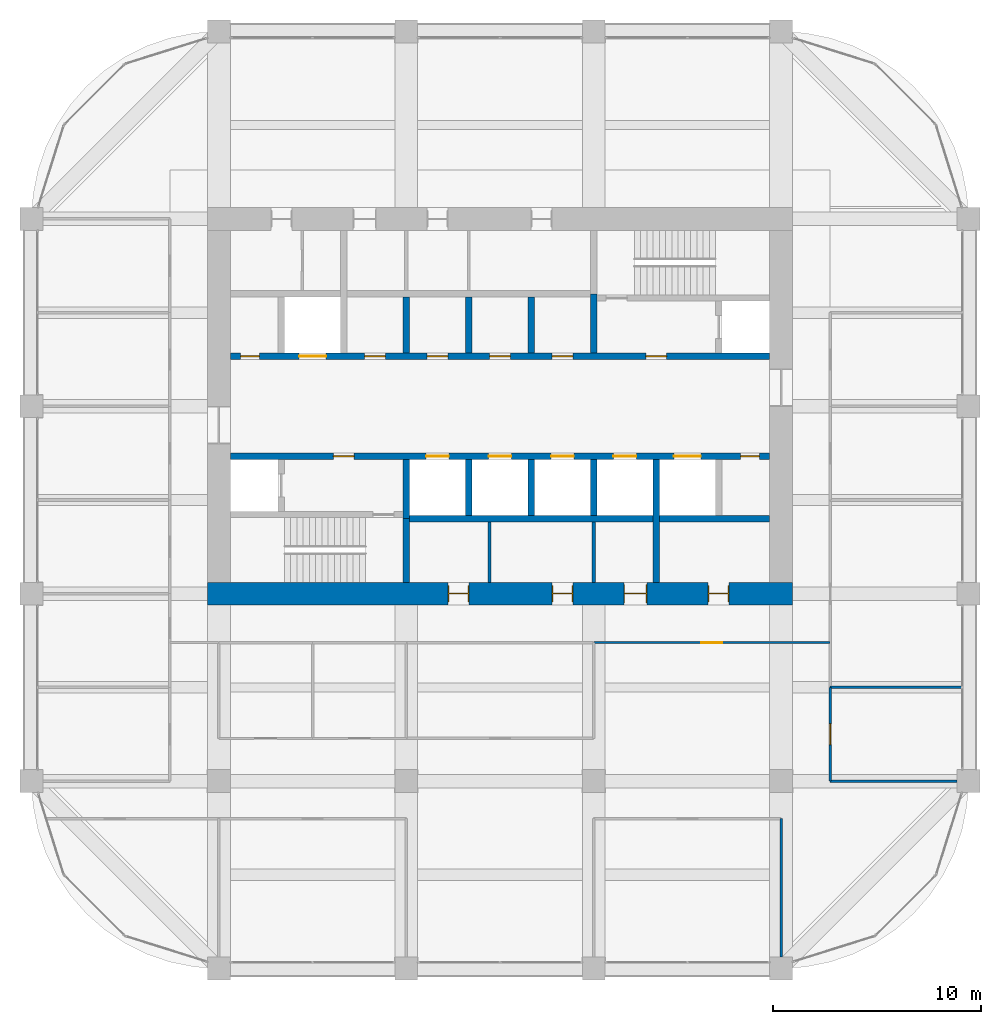
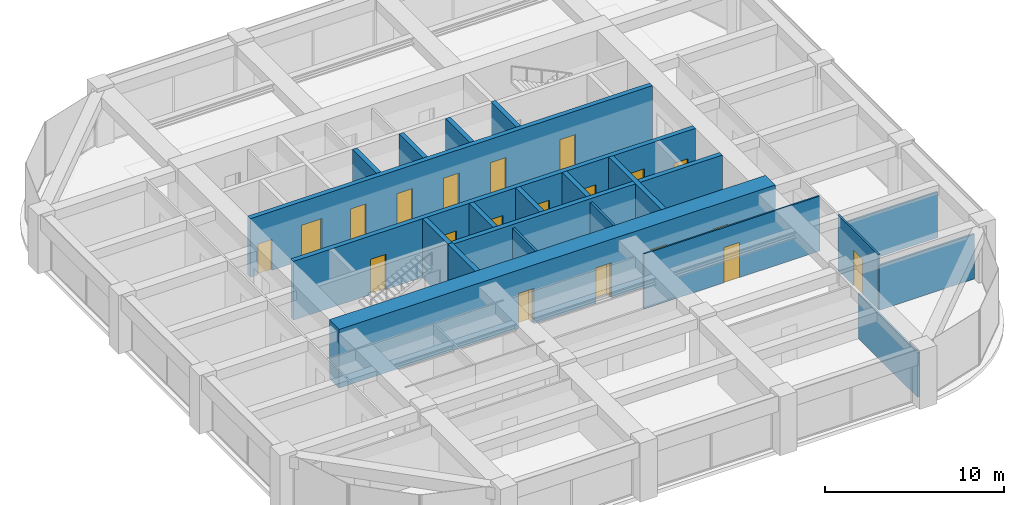
# One storey, part 42 of 44: 21 walls, 20 doors, 20 openings.
"""IFC4 building model written with IfcOpenShell, lengths in metres."""

from ifc_helpers import new_model, si_unit, direction, frame, frame_2d, origin, place, context, subcontext, project, spatial, rectangle, extrude, material, layer, layer_set, type_object, element, fill, save


model = new_model("IFC4")

# Units and contexts
model_context = context("Model", 3, precision=1e-05, world=origin(), true_north=direction((0.0, 1.0)))
body_context = subcontext(model_context, "Body", "Model", "MODEL_VIEW")
ifc_project = project(units=[si_unit("LENGTHUNIT", "METRE"), si_unit("AREAUNIT", "SQUARE_METRE"), si_unit("VOLUMEUNIT", "CUBIC_METRE"), si_unit("PLANEANGLEUNIT", "RADIAN"), si_unit("MASSUNIT", "GRAM", prefix="KILO")], contexts=[model_context])

# Site, building, storey
site_placement = place(None, origin())
site = spatial("IfcSite", under=ifc_project, at=site_placement, CompositionType="ELEMENT")
building_placement = place(site_placement, origin())
building = spatial("IfcBuilding", under=site, at=building_placement, Name="Zorevar Civic Tower", CompositionType="ELEMENT")
storey_placement = place(building_placement, frame((0.0, 0.0, 287.39990234375)))
storey = spatial("IfcBuildingStorey", under=building, at=storey_placement, Name="L70", CompositionType="ELEMENT", Elevation=287.39990234375)

# Wall, openings, doors
ifc_material_1 = material(Name="Concrete C50/60", Category="concrete")
ifc_layer_1 = layer(ifc_material_1, 1.10009765625)
ifc_layer_set_1 = layer_set([ifc_layer_1], Name="Core wall 1100")
wall_type_1 = type_object("IfcWallType", Name="Core wall 1100", PredefinedType="SHEAR", material=ifc_layer_set_1)
wall_1_placement = place(storey_placement, frame((17.449951171875, 18.0, 0.0), z_axis=(0.0, 0.0, 1.0), x_axis=(1.0, 0.0, 0.0)))
wall_1 = element("IfcWall", 1, at=wall_1_placement, inside=storey, type_object=wall_type_1, Name="Core wall S L70", PredefinedType="SHEAR", context=body_context, shape_type="SweptSolid", body=[
    extrude(rectangle(XDim=28.10009765625, YDim=1.10009765625, at=frame_2d((14.050048828125, 0.0))), origin(), (0.0, 0.0, 1.0), 4.0),
])
opening_1_placement = place(wall_1_placement, frame((11.550048828125, 0.0, 0.0)))
opening_1 = element("IfcOpeningElement", 2, at=opening_1_placement, cuts=wall_1, Name="Opening L70.03", PredefinedType="OPENING", context=body_context, shape_type="SweptSolid", body=[
    extrude(rectangle(XDim=1.0, YDim=2.39990234375, at=frame_2d((0.5, 1.199951171875))), frame((0.0, 0.56005859375, 0.0), z_axis=(0.0, -1.0, 0.0), x_axis=(1.0, 0.0, 0.0)), (0.0, 0.0, 1.0), 1.1201171875),
])
opening_2_placement = place(wall_1_placement, frame((16.550048828125, 0.0, 0.0)))
opening_2 = element("IfcOpeningElement", 3, at=opening_2_placement, cuts=wall_1, Name="Opening L70.04", PredefinedType="OPENING", context=body_context, shape_type="SweptSolid", body=[
    extrude(rectangle(XDim=1.0, YDim=2.39990234375, at=frame_2d((0.5, 1.199951171875))), frame((0.0, 0.56005859375, 0.0), z_axis=(0.0, -1.0, 0.0), x_axis=(1.0, 0.0, 0.0)), (0.0, 0.0, 1.0), 1.1201171875),
])
opening_3_placement = place(wall_1_placement, frame((20.0, 0.0, 0.0)))
opening_3 = element("IfcOpeningElement", 4, at=opening_3_placement, cuts=wall_1, Name="Opening L70.05", PredefinedType="OPENING", context=body_context, shape_type="SweptSolid", body=[
    extrude(rectangle(XDim=1.10009765625, YDim=2.39990234375, at=frame_2d((0.550048828125, 1.199951171875))), frame((0.0, 0.56005859375, 0.0), z_axis=(0.0, -1.0, 0.0), x_axis=(1.0, 0.0, 0.0)), (0.0, 0.0, 1.0), 1.1201171875),
])
opening_4_placement = place(wall_1_placement, frame((24.050048828125, 0.0, 0.0)))
opening_4 = element("IfcOpeningElement", 5, at=opening_4_placement, cuts=wall_1, Name="Opening L70.06", PredefinedType="OPENING", context=body_context, shape_type="SweptSolid", body=[
    extrude(rectangle(XDim=1.0, YDim=2.39990234375, at=frame_2d((0.5, 1.199951171875))), frame((0.0, 0.56005859375, 0.0), z_axis=(0.0, -1.0, 0.0), x_axis=(1.0, 0.0, 0.0)), (0.0, 0.0, 1.0), 1.1201171875),
])
ifc_material_2 = material(Name="Timber door set", Category="wood")
door_type_1 = type_object("IfcDoorType", Name="Door D1 1000x2400", OperationType="SINGLE_SWING_LEFT", PredefinedType="DOOR", material=ifc_material_2)
door_1_placement = place(opening_1_placement, origin())
door_1 = element("IfcDoor", 6, at=door_1_placement, inside=storey, type_object=door_type_1, Name="Door L70 02", OperationType="SINGLE_SWING_LEFT", OverallHeight=2.39990234375, OverallWidth=1.0, PredefinedType="DOOR", context=body_context, shape_type="SweptSolid", body=[
    extrude(rectangle(XDim=1.0, YDim=2.39990234375, at=frame_2d((0.5, 1.199951171875))), frame((0.0, 0.02490234375, 0.0), z_axis=(0.0, -1.0, 0.0), x_axis=(1.0, 0.0, 0.0)), (0.0, 0.0, 1.0), 0.050048828125),
    extrude(rectangle(XDim=0.04, YDim=2.39990234375, at=frame_2d((0.02001953125, 1.199951171875))), frame((0.0, 0.39990234375, 0.0), z_axis=(0.0, -1.0, 0.0), x_axis=(1.0, 0.0, 0.0)), (0.0, 0.0, 1.0), 0.800048828125),
    extrude(rectangle(XDim=0.04, YDim=2.39990234375, at=frame_2d((0.97998046875, 1.199951171875))), frame((0.0, 0.39990234375, 0.0), z_axis=(0.0, -1.0, 0.0), x_axis=(1.0, 0.0, 0.0)), (0.0, 0.0, 1.0), 0.800048828125),
    extrude(rectangle(XDim=1.0, YDim=0.04, at=frame_2d((0.5, 2.3798828125))), frame((0.0, 0.39990234375, 0.0), z_axis=(0.0, -1.0, 0.0), x_axis=(1.0, 0.0, 0.0)), (0.0, 0.0, 1.0), 0.800048828125),
])
fill(opening_1, door_1)
door_2_placement = place(opening_2_placement, origin())
door_2 = element("IfcDoor", 7, at=door_2_placement, inside=storey, type_object=door_type_1, Name="Door L70 03", OperationType="SINGLE_SWING_RIGHT", OverallHeight=2.39990234375, OverallWidth=1.0, PredefinedType="DOOR", context=body_context, shape_type="SweptSolid", body=[
    extrude(rectangle(XDim=1.0, YDim=2.39990234375, at=frame_2d((0.5, 1.199951171875))), frame((0.0, 0.02490234375, 0.0), z_axis=(0.0, -1.0, 0.0), x_axis=(1.0, 0.0, 0.0)), (0.0, 0.0, 1.0), 0.050048828125),
    extrude(rectangle(XDim=0.04, YDim=2.39990234375, at=frame_2d((0.02001953125, 1.199951171875))), frame((0.0, 0.39990234375, 0.0), z_axis=(0.0, -1.0, 0.0), x_axis=(1.0, 0.0, 0.0)), (0.0, 0.0, 1.0), 0.800048828125),
    extrude(rectangle(XDim=0.04, YDim=2.39990234375, at=frame_2d((0.97998046875, 1.199951171875))), frame((0.0, 0.39990234375, 0.0), z_axis=(0.0, -1.0, 0.0), x_axis=(1.0, 0.0, 0.0)), (0.0, 0.0, 1.0), 0.800048828125),
    extrude(rectangle(XDim=1.0, YDim=0.04, at=frame_2d((0.5, 2.3798828125))), frame((0.0, 0.39990234375, 0.0), z_axis=(0.0, -1.0, 0.0), x_axis=(1.0, 0.0, 0.0)), (0.0, 0.0, 1.0), 0.800048828125),
])
fill(opening_2, door_2)
door_3_placement = place(opening_4_placement, origin())
door_3 = element("IfcDoor", 8, at=door_3_placement, inside=storey, type_object=door_type_1, Name="Door L70 05", OperationType="SINGLE_SWING_RIGHT", OverallHeight=2.39990234375, OverallWidth=1.0, PredefinedType="DOOR", context=body_context, shape_type="SweptSolid", body=[
    extrude(rectangle(XDim=1.0, YDim=2.39990234375, at=frame_2d((0.5, 1.199951171875))), frame((0.0, 0.02490234375, 0.0), z_axis=(0.0, -1.0, 0.0), x_axis=(1.0, 0.0, 0.0)), (0.0, 0.0, 1.0), 0.050048828125),
    extrude(rectangle(XDim=0.04, YDim=2.39990234375, at=frame_2d((0.02001953125, 1.199951171875))), frame((0.0, 0.39990234375, 0.0), z_axis=(0.0, -1.0, 0.0), x_axis=(1.0, 0.0, 0.0)), (0.0, 0.0, 1.0), 0.800048828125),
    extrude(rectangle(XDim=0.04, YDim=2.39990234375, at=frame_2d((0.97998046875, 1.199951171875))), frame((0.0, 0.39990234375, 0.0), z_axis=(0.0, -1.0, 0.0), x_axis=(1.0, 0.0, 0.0)), (0.0, 0.0, 1.0), 0.800048828125),
    extrude(rectangle(XDim=1.0, YDim=0.04, at=frame_2d((0.5, 2.3798828125))), frame((0.0, 0.39990234375, 0.0), z_axis=(0.0, -1.0, 0.0), x_axis=(1.0, 0.0, 0.0)), (0.0, 0.0, 1.0), 0.800048828125),
])
fill(opening_4, door_3)
ifc_material_3 = material(Name="Timber door set", Category="wood")
door_type_2 = type_object("IfcDoorType", Name="Door D5 1100x2400", OperationType="SINGLE_SWING_LEFT", PredefinedType="DOOR", material=ifc_material_3)
door_4_placement = place(opening_3_placement, origin())
door_4 = element("IfcDoor", 9, at=door_4_placement, inside=storey, type_object=door_type_2, Name="Door L70 04", OperationType="SINGLE_SWING_RIGHT", OverallHeight=2.39990234375, OverallWidth=1.10009765625, PredefinedType="DOOR", context=body_context, shape_type="SweptSolid", body=[
    extrude(rectangle(XDim=1.10009765625, YDim=2.39990234375, at=frame_2d((0.550048828125, 1.199951171875))), frame((0.0, 0.02490234375, 0.0), z_axis=(0.0, -1.0, 0.0), x_axis=(1.0, 0.0, 0.0)), (0.0, 0.0, 1.0), 0.050048828125),
    extrude(rectangle(XDim=0.04, YDim=2.39990234375, at=frame_2d((0.02001953125, 1.199951171875))), frame((0.0, 0.43994140625, 0.0), z_axis=(0.0, -1.0, 0.0), x_axis=(1.0, 0.0, 0.0)), (0.0, 0.0, 1.0), 0.880126953125),
    extrude(rectangle(XDim=0.04, YDim=2.39990234375, at=frame_2d((1.080078125, 1.199951171875))), frame((0.0, 0.43994140625, 0.0), z_axis=(0.0, -1.0, 0.0), x_axis=(1.0, 0.0, 0.0)), (0.0, 0.0, 1.0), 0.880126953125),
    extrude(rectangle(XDim=1.10009765625, YDim=0.04, at=frame_2d((0.550048828125, 2.3798828125))), frame((0.0, 0.43994140625, 0.0), z_axis=(0.0, -1.0, 0.0), x_axis=(1.0, 0.0, 0.0)), (0.0, 0.0, 1.0), 0.880126953125),
])
fill(opening_3, door_4)

# Wall, opening, door
ifc_material_4 = material(Name="Laminated glass in black aluminium frame", Category="aluminium")
ifc_layer_2 = layer(ifc_material_4, 0.10009765625)
ifc_layer_set_2 = layer_set([ifc_layer_2], Name="Glazed partition 100")
wall_type_2 = type_object("IfcWallType", Name="Glazed partition 100", PredefinedType="PARTITIONING", material=ifc_layer_set_2)
wall_2_placement = place(storey_placement, frame((36.010009765625, 15.64990234375, 0.0), z_axis=(0.0, 0.0, 1.0), x_axis=(1.0, 0.0, 0.0)))
wall_2 = element("IfcWall", 10, at=wall_2_placement, inside=storey, type_object=wall_type_2, Name="Glazed partition 100 L70", PredefinedType="PARTITIONING", context=body_context, shape_type="SweptSolid", body=[
    extrude(rectangle(XDim=11.330078125, YDim=0.10009765625, at=frame_2d((5.6650390625, 0.0))), origin(), (0.0, 0.0, 1.0), 3.75),
])
opening_5_placement = place(wall_2_placement, frame((5.1650390625, 0.0, 0.0)))
opening_5 = element("IfcOpeningElement", 11, at=opening_5_placement, cuts=wall_2, Name="Opening L70.23", PredefinedType="OPENING", context=body_context, shape_type="SweptSolid", body=[
    extrude(rectangle(XDim=1.0, YDim=2.39990234375, at=frame_2d((0.5, 1.199951171875))), frame((0.0, 0.06005859375, 0.0), z_axis=(0.0, -1.0, 0.0), x_axis=(1.0, 0.0, 0.0)), (0.0, 0.0, 1.0), 0.1201171875),
])
ifc_material_5 = material(Name="Timber door set", Category="wood")
door_type_3 = type_object("IfcDoorType", Name="Glazed door GD1 1000x2400", OperationType="SINGLE_SWING_LEFT", PredefinedType="DOOR", material=ifc_material_5)
door_5_placement = place(opening_5_placement, origin())
door_5 = element("IfcDoor", 12, at=door_5_placement, inside=storey, type_object=door_type_3, Name="Door L70 D1", OperationType="SINGLE_SWING_LEFT", OverallHeight=2.39990234375, OverallWidth=1.0, PredefinedType="DOOR", context=body_context, shape_type="SweptSolid", body=[
    extrude(rectangle(XDim=1.0, YDim=2.39990234375, at=frame_2d((0.5, 1.199951171875))), frame((0.0, 0.02001953125, 0.0), z_axis=(0.0, -1.0, 0.0), x_axis=(1.0, 0.0, 0.0)), (0.0, 0.0, 1.0), 0.0400390625),
])
fill(opening_5, door_5)

# Wall
ifc_material_6 = material(Name="Concrete C40/50", Category="concrete")
ifc_layer_3 = layer(ifc_material_6, 0.300048828125)
ifc_layer_set_3 = layer_set([ifc_layer_3], Name="Inner core wall 300")
wall_type_3 = type_object("IfcWallType", Name="Inner core wall 300", PredefinedType="SHEAR", material=ifc_layer_set_3)
wall_3_placement = place(storey_placement, frame((27.0, 18.550048828125, 0.0), z_axis=(0.0, 0.0, 1.0), x_axis=(0.0, 1.0, 0.0)))
element("IfcWall", 13, at=wall_3_placement, inside=storey, type_object=wall_type_3, Name="Inner core wall S01 L70", PredefinedType="SHEAR", context=body_context, shape_type="SweptSolid", body=[
    extrude(rectangle(XDim=3.050048828125, YDim=0.300048828125, at=frame_2d((1.52490234375, 0.0))), origin(), (0.0, 0.0, 1.0), 4.0),
])

# Wall, openings, doors
wall_4_placement = place(storey_placement, frame((18.550048828125, 24.60009765625, 0.0), z_axis=(0.0, 0.0, 1.0), x_axis=(1.0, 0.0, 0.0)))
wall_4 = element("IfcWall", 14, at=wall_4_placement, inside=storey, type_object=wall_type_3, Name="Inner core wall S03 L70", PredefinedType="SHEAR", context=body_context, shape_type="SweptSolid", body=[
    extrude(rectangle(XDim=25.89990234375, YDim=0.300048828125, at=frame_2d((12.949951171875, 0.0))), origin(), (0.0, 0.0, 1.0), 4.0),
])
opening_6_placement = place(wall_4_placement, frame((4.949951171875, 0.0, 0.0)))
opening_6 = element("IfcOpeningElement", 15, at=opening_6_placement, cuts=wall_4, Name="Opening L70.13", PredefinedType="OPENING", context=body_context, shape_type="SweptSolid", body=[
    extrude(rectangle(XDim=1.0, YDim=2.39990234375, at=frame_2d((0.5, 1.199951171875))), frame((0.0, 0.159912109375, 0.0), z_axis=(0.0, -1.0, 0.0), x_axis=(1.0, 0.0, 0.0)), (0.0, 0.0, 1.0), 0.320068359375),
])
opening_7_placement = place(wall_4_placement, frame((24.5, 0.0, 0.0)))
opening_7 = element("IfcOpeningElement", 16, at=opening_7_placement, cuts=wall_4, Name="Opening L70.15", PredefinedType="OPENING", context=body_context, shape_type="SweptSolid", body=[
    extrude(rectangle(XDim=0.89990234375, YDim=2.10009765625, at=frame_2d((0.449951171875, 1.050048828125))), frame((0.0, 0.159912109375, 0.0), z_axis=(0.0, -1.0, 0.0), x_axis=(1.0, 0.0, 0.0)), (0.0, 0.0, 1.0), 0.320068359375),
])
opening_8_placement = place(wall_4_placement, frame((9.39990234375, 0.0, 0.0)))
opening_8 = element("IfcOpeningElement", 17, at=opening_8_placement, cuts=wall_4, Name="Opening L70.LT1", PredefinedType="OPENING", context=body_context, shape_type="SweptSolid", body=[
    extrude(rectangle(XDim=1.10009765625, YDim=2.39990234375, at=frame_2d((0.550048828125, 1.199951171875))), frame((0.0, 0.159912109375, 0.0), z_axis=(0.0, -1.0, 0.0), x_axis=(1.0, 0.0, 0.0)), (0.0, 0.0, 1.0), 0.320068359375),
])
opening_9_placement = place(wall_4_placement, frame((12.39990234375, 0.0, 0.0)))
opening_9 = element("IfcOpeningElement", 18, at=opening_9_placement, cuts=wall_4, Name="Opening L70.LT2", PredefinedType="OPENING", context=body_context, shape_type="SweptSolid", body=[
    extrude(rectangle(XDim=1.10009765625, YDim=2.39990234375, at=frame_2d((0.550048828125, 1.199951171875))), frame((0.0, 0.159912109375, 0.0), z_axis=(0.0, -1.0, 0.0), x_axis=(1.0, 0.0, 0.0)), (0.0, 0.0, 1.0), 0.320068359375),
])
opening_10_placement = place(wall_4_placement, frame((15.39990234375, 0.0, 0.0)))
opening_10 = element("IfcOpeningElement", 19, at=opening_10_placement, cuts=wall_4, Name="Opening L70.LT3", PredefinedType="OPENING", context=body_context, shape_type="SweptSolid", body=[
    extrude(rectangle(XDim=1.10009765625, YDim=2.39990234375, at=frame_2d((0.550048828125, 1.199951171875))), frame((0.0, 0.159912109375, 0.0), z_axis=(0.0, -1.0, 0.0), x_axis=(1.0, 0.0, 0.0)), (0.0, 0.0, 1.0), 0.320068359375),
])
opening_11_placement = place(wall_4_placement, frame((18.39990234375, 0.0, 0.0)))
opening_11 = element("IfcOpeningElement", 20, at=opening_11_placement, cuts=wall_4, Name="Opening L70.LT4", PredefinedType="OPENING", context=body_context, shape_type="SweptSolid", body=[
    extrude(rectangle(XDim=1.10009765625, YDim=2.39990234375, at=frame_2d((0.550048828125, 1.199951171875))), frame((0.0, 0.159912109375, 0.0), z_axis=(0.0, -1.0, 0.0), x_axis=(1.0, 0.0, 0.0)), (0.0, 0.0, 1.0), 0.320068359375),
])
opening_12_placement = place(wall_4_placement, frame((21.300048828125, 0.0, 0.0)))
opening_12 = element("IfcOpeningElement", 21, at=opening_12_placement, cuts=wall_4, Name="Opening L70.SL1", PredefinedType="OPENING", context=body_context, shape_type="SweptSolid", body=[
    extrude(rectangle(XDim=1.300048828125, YDim=2.39990234375, at=frame_2d((0.64990234375, 1.199951171875))), frame((0.0, 0.159912109375, 0.0), z_axis=(0.0, -1.0, 0.0), x_axis=(1.0, 0.0, 0.0)), (0.0, 0.0, 1.0), 0.320068359375),
])
ifc_material_7 = material(Name="Steel door set", Category="steel")
door_type_4 = type_object("IfcDoorType", Name="Fire door FD1 1000x2400", OperationType="SINGLE_SWING_LEFT", PredefinedType="DOOR", material=ifc_material_7)
door_6_placement = place(opening_6_placement, origin())
door_6 = element("IfcDoor", 22, at=door_6_placement, inside=storey, type_object=door_type_4, Name="Door L70 12", OperationType="SINGLE_SWING_RIGHT", OverallHeight=2.39990234375, OverallWidth=1.0, PredefinedType="DOOR", context=body_context, shape_type="SweptSolid", body=[
    extrude(rectangle(XDim=1.0, YDim=2.39990234375, at=frame_2d((0.5, 1.199951171875))), frame((0.0, 0.030029296875, 0.0), z_axis=(0.0, -1.0, 0.0), x_axis=(1.0, 0.0, 0.0)), (0.0, 0.0, 1.0), 0.06005859375),
])
fill(opening_6, door_6)
ifc_material_8 = material(Name="Steel door set", Category="steel")
door_type_5 = type_object("IfcDoorType", Name="Landing door LD1 1100x2400", OperationType="DOUBLE_DOOR_SLIDING", PredefinedType="DOOR", material=ifc_material_8)
door_7_placement = place(opening_8_placement, origin())
door_7 = element("IfcDoor", 23, at=door_7_placement, inside=storey, type_object=door_type_5, Name="Landing door LT1 L70", OperationType="DOUBLE_DOOR_SLIDING", OverallHeight=2.39990234375, OverallWidth=1.10009765625, PredefinedType="DOOR", context=body_context, shape_type="SweptSolid", body=[
    extrude(rectangle(XDim=1.10009765625, YDim=2.39990234375, at=frame_2d((0.550048828125, 1.199951171875))), frame((0.0, 0.02001953125, 0.0), z_axis=(0.0, -1.0, 0.0), x_axis=(1.0, 0.0, 0.0)), (0.0, 0.0, 1.0), 0.0400390625),
])
fill(opening_8, door_7)
door_8_placement = place(opening_9_placement, origin())
door_8 = element("IfcDoor", 24, at=door_8_placement, inside=storey, type_object=door_type_5, Name="Landing door LT2 L70", OperationType="DOUBLE_DOOR_SLIDING", OverallHeight=2.39990234375, OverallWidth=1.10009765625, PredefinedType="DOOR", context=body_context, shape_type="SweptSolid", body=[
    extrude(rectangle(XDim=1.10009765625, YDim=2.39990234375, at=frame_2d((0.550048828125, 1.199951171875))), frame((0.0, 0.02001953125, 0.0), z_axis=(0.0, -1.0, 0.0), x_axis=(1.0, 0.0, 0.0)), (0.0, 0.0, 1.0), 0.0400390625),
])
fill(opening_9, door_8)
door_9_placement = place(opening_10_placement, origin())
door_9 = element("IfcDoor", 25, at=door_9_placement, inside=storey, type_object=door_type_5, Name="Landing door LT3 L70", OperationType="DOUBLE_DOOR_SLIDING", OverallHeight=2.39990234375, OverallWidth=1.10009765625, PredefinedType="DOOR", context=body_context, shape_type="SweptSolid", body=[
    extrude(rectangle(XDim=1.10009765625, YDim=2.39990234375, at=frame_2d((0.550048828125, 1.199951171875))), frame((0.0, 0.02001953125, 0.0), z_axis=(0.0, -1.0, 0.0), x_axis=(1.0, 0.0, 0.0)), (0.0, 0.0, 1.0), 0.0400390625),
])
fill(opening_10, door_9)
door_10_placement = place(opening_11_placement, origin())
door_10 = element("IfcDoor", 26, at=door_10_placement, inside=storey, type_object=door_type_5, Name="Landing door LT4 L70", OperationType="DOUBLE_DOOR_SLIDING", OverallHeight=2.39990234375, OverallWidth=1.10009765625, PredefinedType="DOOR", context=body_context, shape_type="SweptSolid", body=[
    extrude(rectangle(XDim=1.10009765625, YDim=2.39990234375, at=frame_2d((0.550048828125, 1.199951171875))), frame((0.0, 0.02001953125, 0.0), z_axis=(0.0, -1.0, 0.0), x_axis=(1.0, 0.0, 0.0)), (0.0, 0.0, 1.0), 0.0400390625),
])
fill(opening_11, door_10)
ifc_material_9 = material(Name="Steel door set", Category="steel")
door_type_6 = type_object("IfcDoorType", Name="Landing door LD2 1300x2400", OperationType="DOUBLE_DOOR_SLIDING", PredefinedType="DOOR", material=ifc_material_9)
door_11_placement = place(opening_12_placement, origin())
door_11 = element("IfcDoor", 27, at=door_11_placement, inside=storey, type_object=door_type_6, Name="Landing door SL1 L70", OperationType="DOUBLE_DOOR_SLIDING", OverallHeight=2.39990234375, OverallWidth=1.300048828125, PredefinedType="DOOR", context=body_context, shape_type="SweptSolid", body=[
    extrude(rectangle(XDim=1.300048828125, YDim=2.39990234375, at=frame_2d((0.64990234375, 1.199951171875))), frame((0.0, 0.02001953125, 0.0), z_axis=(0.0, -1.0, 0.0), x_axis=(1.0, 0.0, 0.0)), (0.0, 0.0, 1.0), 0.0400390625),
])
fill(opening_12, door_11)
ifc_material_10 = material(Name="Steel door set", Category="steel")
door_type_7 = type_object("IfcDoorType", Name="Riser door RD1 900x2100", OperationType="SINGLE_SWING_LEFT", PredefinedType="DOOR", material=ifc_material_10)
door_12_placement = place(opening_7_placement, origin())
door_12 = element("IfcDoor", 28, at=door_12_placement, inside=storey, type_object=door_type_7, Name="Door L70 14", OperationType="SINGLE_SWING_RIGHT", OverallHeight=2.10009765625, OverallWidth=0.89990234375, PredefinedType="DOOR", context=body_context, shape_type="SweptSolid", body=[
    extrude(rectangle(XDim=0.89990234375, YDim=2.10009765625, at=frame_2d((0.449951171875, 1.050048828125))), frame((0.0, 0.030029296875, 0.0), z_axis=(0.0, -1.0, 0.0), x_axis=(1.0, 0.0, 0.0)), (0.0, 0.0, 1.0), 0.06005859375),
])
fill(opening_7, door_12)

wall_5_placement = place(storey_placement, frame((18.550048828125, 29.39990234375, 0.0), z_axis=(0.0, 0.0, 1.0), x_axis=(1.0, 0.0, 0.0)))
wall_5 = element("IfcWall", 29, at=wall_5_placement, inside=storey, type_object=wall_type_3, Name="Inner core wall N03 L70", PredefinedType="SHEAR", context=body_context, shape_type="SweptSolid", body=[
    extrude(rectangle(XDim=25.89990234375, YDim=0.300048828125, at=frame_2d((12.949951171875, 0.0))), origin(), (0.0, 0.0, 1.0), 4.0),
])
opening_13_placement = place(wall_5_placement, frame((19.949951171875, 0.0, 0.0)))
opening_13 = element("IfcOpeningElement", 30, at=opening_13_placement, cuts=wall_5, Name="Opening L70.14", PredefinedType="OPENING", context=body_context, shape_type="SweptSolid", body=[
    extrude(rectangle(XDim=1.0, YDim=2.39990234375, at=frame_2d((0.5, 1.199951171875))), frame((0.0, 0.159912109375, 0.0), z_axis=(0.0, -1.0, 0.0), x_axis=(1.0, 0.0, 0.0)), (0.0, 0.0, 1.0), 0.320068359375),
])
opening_14_placement = place(wall_5_placement, frame((0.5, 0.0, 0.0)))
opening_14 = element("IfcOpeningElement", 31, at=opening_14_placement, cuts=wall_5, Name="Opening L70.16", PredefinedType="OPENING", context=body_context, shape_type="SweptSolid", body=[
    extrude(rectangle(XDim=0.89990234375, YDim=2.10009765625, at=frame_2d((0.449951171875, 1.050048828125))), frame((0.0, 0.159912109375, 0.0), z_axis=(0.0, -1.0, 0.0), x_axis=(1.0, 0.0, 0.0)), (0.0, 0.0, 1.0), 0.320068359375),
])
opening_15_placement = place(wall_5_placement, frame((15.449951171875, 0.0, 0.0)))
opening_15 = element("IfcOpeningElement", 32, at=opening_15_placement, cuts=wall_5, Name="Opening L70.35", PredefinedType="OPENING", context=body_context, shape_type="SweptSolid", body=[
    extrude(rectangle(XDim=1.0, YDim=2.39990234375, at=frame_2d((0.5, 1.199951171875))), frame((0.0, 0.159912109375, 0.0), z_axis=(0.0, -1.0, 0.0), x_axis=(1.0, 0.0, 0.0)), (0.0, 0.0, 1.0), 0.320068359375),
])
opening_16_placement = place(wall_5_placement, frame((12.449951171875, 0.0, 0.0)))
opening_16 = element("IfcOpeningElement", 33, at=opening_16_placement, cuts=wall_5, Name="Opening L70.36", PredefinedType="OPENING", context=body_context, shape_type="SweptSolid", body=[
    extrude(rectangle(XDim=1.0, YDim=2.39990234375, at=frame_2d((0.5, 1.199951171875))), frame((0.0, 0.159912109375, 0.0), z_axis=(0.0, -1.0, 0.0), x_axis=(1.0, 0.0, 0.0)), (0.0, 0.0, 1.0), 0.320068359375),
])
opening_17_placement = place(wall_5_placement, frame((9.449951171875, 0.0, 0.0)))
opening_17 = element("IfcOpeningElement", 34, at=opening_17_placement, cuts=wall_5, Name="Opening L70.37", PredefinedType="OPENING", context=body_context, shape_type="SweptSolid", body=[
    extrude(rectangle(XDim=1.0, YDim=2.39990234375, at=frame_2d((0.5, 1.199951171875))), frame((0.0, 0.159912109375, 0.0), z_axis=(0.0, -1.0, 0.0), x_axis=(1.0, 0.0, 0.0)), (0.0, 0.0, 1.0), 0.320068359375),
])
opening_18_placement = place(wall_5_placement, frame((6.449951171875, 0.0, 0.0)))
opening_18 = element("IfcOpeningElement", 35, at=opening_18_placement, cuts=wall_5, Name="Opening L70.38", PredefinedType="OPENING", context=body_context, shape_type="SweptSolid", body=[
    extrude(rectangle(XDim=1.0, YDim=2.39990234375, at=frame_2d((0.5, 1.199951171875))), frame((0.0, 0.159912109375, 0.0), z_axis=(0.0, -1.0, 0.0), x_axis=(1.0, 0.0, 0.0)), (0.0, 0.0, 1.0), 0.320068359375),
])
opening_19_placement = place(wall_5_placement, frame((3.300048828125, 0.0, 0.0)))
opening_19 = element("IfcOpeningElement", 36, at=opening_19_placement, cuts=wall_5, Name="Opening L70.SL2", PredefinedType="OPENING", context=body_context, shape_type="SweptSolid", body=[
    extrude(rectangle(XDim=1.300048828125, YDim=2.39990234375, at=frame_2d((0.64990234375, 1.199951171875))), frame((0.0, 0.159912109375, 0.0), z_axis=(0.0, -1.0, 0.0), x_axis=(1.0, 0.0, 0.0)), (0.0, 0.0, 1.0), 0.320068359375),
])
door_13_placement = place(opening_13_placement, origin())
door_13 = element("IfcDoor", 37, at=door_13_placement, inside=storey, type_object=door_type_4, Name="Door L70 13", OperationType="SINGLE_SWING_RIGHT", OverallHeight=2.39990234375, OverallWidth=1.0, PredefinedType="DOOR", context=body_context, shape_type="SweptSolid", body=[
    extrude(rectangle(XDim=1.0, YDim=2.39990234375, at=frame_2d((0.5, 1.199951171875))), frame((0.0, 0.030029296875, 0.0), z_axis=(0.0, -1.0, 0.0), x_axis=(1.0, 0.0, 0.0)), (0.0, 0.0, 1.0), 0.06005859375),
])
fill(opening_13, door_13)
door_14_placement = place(opening_15_placement, origin())
door_14 = element("IfcDoor", 38, at=door_14_placement, inside=storey, type_object=door_type_4, Name="Door L70 LM1 shaft room", OperationType="SINGLE_SWING_LEFT", OverallHeight=2.39990234375, OverallWidth=1.0, PredefinedType="DOOR", context=body_context, shape_type="SweptSolid", body=[
    extrude(rectangle(XDim=1.0, YDim=2.39990234375, at=frame_2d((0.5, 1.199951171875))), frame((0.0, 0.030029296875, 0.0), z_axis=(0.0, -1.0, 0.0), x_axis=(1.0, 0.0, 0.0)), (0.0, 0.0, 1.0), 0.06005859375),
])
fill(opening_15, door_14)
door_15_placement = place(opening_16_placement, origin())
door_15 = element("IfcDoor", 39, at=door_15_placement, inside=storey, type_object=door_type_4, Name="Door L70 LM2 shaft room", OperationType="SINGLE_SWING_LEFT", OverallHeight=2.39990234375, OverallWidth=1.0, PredefinedType="DOOR", context=body_context, shape_type="SweptSolid", body=[
    extrude(rectangle(XDim=1.0, YDim=2.39990234375, at=frame_2d((0.5, 1.199951171875))), frame((0.0, 0.030029296875, 0.0), z_axis=(0.0, -1.0, 0.0), x_axis=(1.0, 0.0, 0.0)), (0.0, 0.0, 1.0), 0.06005859375),
])
fill(opening_16, door_15)
door_16_placement = place(opening_17_placement, origin())
door_16 = element("IfcDoor", 40, at=door_16_placement, inside=storey, type_object=door_type_4, Name="Door L70 LH1 shaft room", OperationType="SINGLE_SWING_RIGHT", OverallHeight=2.39990234375, OverallWidth=1.0, PredefinedType="DOOR", context=body_context, shape_type="SweptSolid", body=[
    extrude(rectangle(XDim=1.0, YDim=2.39990234375, at=frame_2d((0.5, 1.199951171875))), frame((0.0, 0.030029296875, 0.0), z_axis=(0.0, -1.0, 0.0), x_axis=(1.0, 0.0, 0.0)), (0.0, 0.0, 1.0), 0.06005859375),
])
fill(opening_17, door_16)
door_17_placement = place(opening_18_placement, origin())
door_17 = element("IfcDoor", 41, at=door_17_placement, inside=storey, type_object=door_type_4, Name="Door L70 LH2 shaft room", OperationType="SINGLE_SWING_RIGHT", OverallHeight=2.39990234375, OverallWidth=1.0, PredefinedType="DOOR", context=body_context, shape_type="SweptSolid", body=[
    extrude(rectangle(XDim=1.0, YDim=2.39990234375, at=frame_2d((0.5, 1.199951171875))), frame((0.0, 0.030029296875, 0.0), z_axis=(0.0, -1.0, 0.0), x_axis=(1.0, 0.0, 0.0)), (0.0, 0.0, 1.0), 0.06005859375),
])
fill(opening_18, door_17)
door_18_placement = place(opening_19_placement, origin())
door_18 = element("IfcDoor", 42, at=door_18_placement, inside=storey, type_object=door_type_6, Name="Landing door SL2 L70", OperationType="DOUBLE_DOOR_SLIDING", OverallHeight=2.39990234375, OverallWidth=1.300048828125, PredefinedType="DOOR", context=body_context, shape_type="SweptSolid", body=[
    extrude(rectangle(XDim=1.300048828125, YDim=2.39990234375, at=frame_2d((0.64990234375, 1.199951171875))), frame((0.0, 0.02001953125, 0.0), z_axis=(0.0, -1.0, 0.0), x_axis=(1.0, 0.0, 0.0)), (0.0, 0.0, 1.0), 0.0400390625),
])
fill(opening_19, door_18)
door_19_placement = place(opening_14_placement, origin())
door_19 = element("IfcDoor", 43, at=door_19_placement, inside=storey, type_object=door_type_7, Name="Door L70 15", OperationType="SINGLE_SWING_RIGHT", OverallHeight=2.10009765625, OverallWidth=0.89990234375, PredefinedType="DOOR", context=body_context, shape_type="SweptSolid", body=[
    extrude(rectangle(XDim=0.89990234375, YDim=2.10009765625, at=frame_2d((0.449951171875, 1.050048828125))), frame((0.0, 0.030029296875, 0.0), z_axis=(0.0, -1.0, 0.0), x_axis=(1.0, 0.0, 0.0)), (0.0, 0.0, 1.0), 0.06005859375),
])
fill(opening_14, door_19)

# Walls
wall_6_placement = place(storey_placement, frame((27.14990234375, 21.60009765625, 0.0), z_axis=(0.0, 0.0, 1.0), x_axis=(1.0, 0.0, 0.0)))
element("IfcWall", 44, at=wall_6_placement, inside=storey, type_object=wall_type_3, Name="Inner core wall S04 L70", PredefinedType="SHEAR", context=body_context, shape_type="SweptSolid", body=[
    extrude(rectangle(XDim=17.300048828125, YDim=0.300048828125, at=frame_2d((8.64990234375, 0.0))), origin(), (0.0, 0.0, 1.0), 4.0),
])
for number, where, z_axis, x_axis, name in (
    (45, (30.0, 21.75, 0.0), (0.0, 0.0, 1.0), (0.0, 1.0, 0.0), "Inner core wall S05 L70"),
    (46, (33.0, 29.550048828125, 0.0), (0.0, 0.0, 1.0), (0.0, 1.0, 0.0), "Inner core wall N05 L70"),
    (47, (33.0, 21.75, 0.0), (0.0, 0.0, 1.0), (0.0, 1.0, 0.0), "Inner core wall S06 L70"),
    (48, (30.0, 29.550048828125, 0.0), (0.0, 0.0, 1.0), (0.0, 1.0, 0.0), "Inner core wall N06 L70"),
    (49, (36.0, 21.75, 0.0), (0.0, 0.0, 1.0), (0.0, 1.0, 0.0), "Inner core wall S07 L70"),
    (50, (27.0, 29.550048828125, 0.0), (0.0, 0.0, 1.0), (0.0, 1.0, 0.0), "Inner core wall N07 L70"),
):
    element("IfcWall", number, at=place(storey_placement, frame(where, z_axis=z_axis, x_axis=x_axis)), inside=storey, type_object=wall_type_3, Name=name, PredefinedType="SHEAR", context=body_context, shape_type="SweptSolid", body=[
        extrude(rectangle(XDim=2.699951171875, YDim=0.300048828125, at=frame_2d((1.35009765625, 0.0))), origin(), (0.0, 0.0, 1.0), 4.0),
    ])
wall_7_placement = place(storey_placement, frame((39.0, 18.550048828125, 0.0), z_axis=(0.0, 0.0, 1.0), x_axis=(0.0, 1.0, 0.0)))
element("IfcWall", 51, at=wall_7_placement, inside=storey, type_object=wall_type_3, Name="Inner core wall S08 L70", PredefinedType="SHEAR", context=body_context, shape_type="SweptSolid", body=[
    extrude(rectangle(XDim=5.89990234375, YDim=0.300048828125, at=frame_2d((2.949951171875, 0.0))), origin(), (0.0, 0.0, 1.0), 4.0),
])
for number, where, z_axis, x_axis, name in (
    (52, (27.0, 21.60009765625, 0.0), (0.0, 0.0, 1.0), (0.0, 1.0, 0.0), "Inner core wall S10 L70"),
    (53, (36.0, 29.550048828125, 0.0), (0.0, 0.0, 1.0), (0.0, 1.0, 0.0), "Inner core wall N10 L70"),
):
    element("IfcWall", number, at=place(storey_placement, frame(where, z_axis=z_axis, x_axis=x_axis)), inside=storey, type_object=wall_type_3, Name=name, PredefinedType="SHEAR", context=body_context, shape_type="SweptSolid", body=[
        extrude(rectangle(XDim=2.849853515625, YDim=0.300048828125, at=frame_2d((1.4248046875, 0.0))), origin(), (0.0, 0.0, 1.0), 4.0),
    ])
ifc_material_11 = material(Name="Gypsum board on steel studs", Category="steel")
ifc_layer_4 = layer(ifc_material_11, 0.1201171875)
ifc_layer_set_4 = layer_set([ifc_layer_4], Name="Partition 120")
wall_type_4 = type_object("IfcWallType", Name="Partition 120", PredefinedType="PARTITIONING", material=ifc_layer_set_4)
wall_8_placement = place(storey_placement, frame((47.35009765625, 9.0, 0.0), z_axis=(0.0, 0.0, 1.0), x_axis=(1.0, 0.0, 0.0)))
element("IfcWall", 54, at=wall_8_placement, inside=storey, type_object=wall_type_4, Name="Partition 120 L70", PredefinedType="PARTITIONING", context=body_context, shape_type="SweptSolid", body=[
    extrude(rectangle(XDim=6.099853515625, YDim=0.1201171875, at=frame_2d((3.0498046875, 0.0))), origin(), (0.0, 0.0, 1.0), 3.050048828125),
])
wall_9_placement = place(storey_placement, frame((47.35009765625, 13.5, 0.0), z_axis=(0.0, 0.0, 1.0), x_axis=(1.0, 0.0, 0.0)))
element("IfcWall", 55, at=wall_9_placement, inside=storey, type_object=wall_type_4, Name="Partition 120 L70", PredefinedType="PARTITIONING", context=body_context, shape_type="SweptSolid", body=[
    extrude(rectangle(XDim=6.33984375, YDim=0.1201171875, at=frame_2d((3.169921875, 0.0))), origin(), (0.0, 0.0, 1.0), 3.10009765625),
])
wall_10_placement = place(storey_placement, frame((45.0, 0.550048828125, 0.0), z_axis=(0.0, 0.0, 1.0), x_axis=(0.0, 1.0, 0.0)))
element("IfcWall", 56, at=wall_10_placement, inside=storey, type_object=wall_type_4, Name="Partition 120 L70", PredefinedType="PARTITIONING", context=body_context, shape_type="SweptSolid", body=[
    extrude(rectangle(XDim=6.64990234375, YDim=0.1201171875, at=frame_2d((3.324951171875, 0.0))), origin(), (0.0, 0.0, 1.0), 3.050048828125),
])

# Wall, opening, door
wall_11_placement = place(storey_placement, frame((47.35009765625, 9.0, 0.0), z_axis=(0.0, 0.0, 1.0), x_axis=(0.0, 1.0, 0.0)))
wall_11 = element("IfcWall", 57, at=wall_11_placement, inside=storey, type_object=wall_type_4, Name="Partition 120 L70", PredefinedType="PARTITIONING", context=body_context, shape_type="SweptSolid", body=[
    extrude(rectangle(XDim=4.5, YDim=0.1201171875, at=frame_2d((2.25, 0.0))), origin(), (0.0, 0.0, 1.0), 3.75),
])
opening_20_placement = place(wall_11_placement, frame((1.75, 0.0, 0.0)))
opening_20 = element("IfcOpeningElement", 58, at=opening_20_placement, cuts=wall_11, Name="Opening L70.30", PredefinedType="OPENING", context=body_context, shape_type="SweptSolid", body=[
    extrude(rectangle(XDim=1.0, YDim=2.39990234375, at=frame_2d((0.5, 1.199951171875))), frame((0.0, 0.070068359375, 0.0), z_axis=(0.0, -1.0, 0.0), x_axis=(1.0, 0.0, 0.0)), (0.0, 0.0, 1.0), 0.14013671875),
])
door_20_placement = place(opening_20_placement, origin())
door_20 = element("IfcDoor", 59, at=door_20_placement, inside=storey, type_object=door_type_1, Name="Door L70 D1", OperationType="SINGLE_SWING_LEFT", OverallHeight=2.39990234375, OverallWidth=1.0, PredefinedType="DOOR", context=body_context, shape_type="SweptSolid", body=[
    extrude(rectangle(XDim=1.0, YDim=2.39990234375, at=frame_2d((0.5, 1.199951171875))), frame((0.0, 0.02490234375, 0.0), z_axis=(0.0, -1.0, 0.0), x_axis=(1.0, 0.0, 0.0)), (0.0, 0.0, 1.0), 0.050048828125),
])
fill(opening_20, door_20)

# Walls
ifc_material_12 = material(Name="Gypsum board on steel studs, moisture resistant", Category="steel")
ifc_layer_5 = layer(ifc_material_12, 0.14990234375)
ifc_layer_set_5 = layer_set([ifc_layer_5], Name="WC partition 150")
wall_type_5 = type_object("IfcWallType", Name="WC partition 150", PredefinedType="PARTITIONING", material=ifc_layer_set_5)
for number, where, z_axis, x_axis, name in (
    (60, (31.0, 18.550048828125, 0.0), (0.0, 0.0, 1.0), (0.0, 1.0, 0.0), "WC partition L70"),
    (61, (36.0, 18.550048828125, 0.0), (0.0, 0.0, 1.0), (0.0, 1.0, 0.0), "WC partition L70"),
):
    element("IfcWall", number, at=place(storey_placement, frame(where, z_axis=z_axis, x_axis=x_axis)), inside=storey, type_object=wall_type_5, Name=name, PredefinedType="PARTITIONING", context=body_context, shape_type="SweptSolid", body=[
        extrude(rectangle(XDim=2.89990234375, YDim=0.14990234375, at=frame_2d((1.449951171875, 0.0))), origin(), (0.0, 0.0, 1.0), 3.75),
    ])

save(model, "model.ifc")
